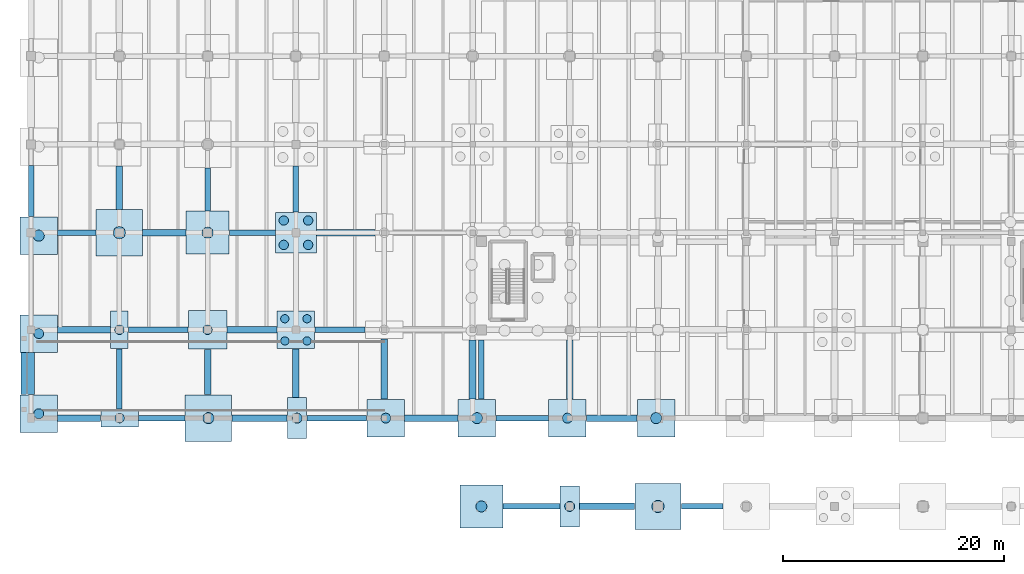
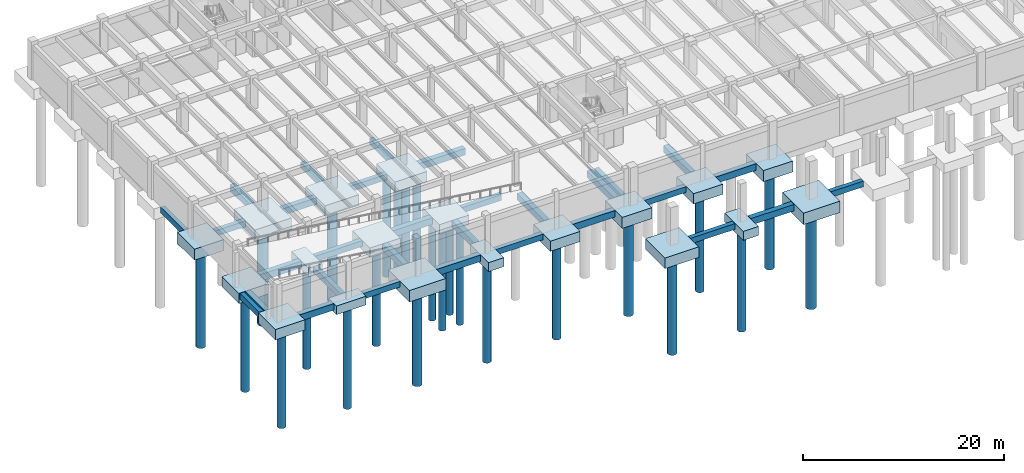
# One storey, part 1 of 25: 50 footings, 25 piles.
"""IFC4 building model written with IfcOpenShell, lengths in metres."""

from ifc_helpers import new_model, si_unit, direction, frame, origin, origin_2d, place, context, subcontext, project, spatial, rectangle, circle, extrude, material, layer, layer_set, material_profile, profile_set, type_object, element, save


model = new_model("IFC4")

# Units and contexts
model_context = context("Model", 3, precision=1e-05, world=origin(), true_north=direction((0.0, 1.0)))
body_context = subcontext(model_context, "Body", "Model", "MODEL_VIEW")
ifc_project = project(units=[si_unit("LENGTHUNIT", "METRE"), si_unit("AREAUNIT", "SQUARE_METRE"), si_unit("VOLUMEUNIT", "CUBIC_METRE"), si_unit("PLANEANGLEUNIT", "RADIAN"), si_unit("MASSUNIT", "GRAM", prefix="KILO")], contexts=[model_context])

# Site, building, storey
site_placement = place(None, origin())
site = spatial("IfcSite", under=ifc_project, at=site_placement, CompositionType="ELEMENT")
building_placement = place(site_placement, origin())
building = spatial("IfcBuilding", under=site, at=building_placement, Name="Tlaxcora Railside Police Headquarters", CompositionType="ELEMENT")
storey_placement = place(building_placement, frame((0.0, 0.0, -4.199951171875)))
storey = spatial("IfcBuildingStorey", under=building, at=storey_placement, Name="B1", CompositionType="ELEMENT", Elevation=-4.199951171875)

# Piles
ifc_material_1 = material(Name="Concrete C35/45", Category="concrete")
ifc_material_profile_1 = material_profile(ifc_material_1, circle(Radius=0.425048828125, at=origin_2d()), Name="PILE850")
ifc_profile_set_1 = profile_set([ifc_material_profile_1], Name="Concrete C35/45")
pile_type_1 = type_object("IfcPileType", Name="Cast-in-Place Bored Pile PL-12", PredefinedType="BORED", material=ifc_profile_set_1)
for number, where, z_axis, x_axis, name in (
    (1, (13.2333984375, 44.0, -1.340087890625), (0.0, 0.0, -1.0), (1.0, 0.0, 0.0), "Bored pile PILE-014-1"),
    (2, (13.199951171875, 52.0, -1.340087890625), (0.0, 0.0, -1.0), (1.0, 0.0, 0.0), "Bored pile PILE-015-1"),
):
    element("IfcPile", number, at=place(storey_placement, frame(where, z_axis=z_axis, x_axis=x_axis)), inside=storey, type_object=pile_type_1, Name=name, PredefinedType="BORED", context=body_context, shape_type="SweptSolid", body=[
        extrude(circle(Radius=0.425048828125, at=origin_2d()), origin(), (0.0, 0.0, 1.0), 12.4599609375),
    ])
pile_1_placement = place(storey_placement, frame((21.199951171875, 52.0, -1.43994140625), z_axis=(0.0, 0.0, -1.0), x_axis=(1.0, 0.0, 0.0)))
element("IfcPile", 3, at=pile_1_placement, inside=storey, type_object=pile_type_1, Name="Bored pile PILE-022-1", PredefinedType="BORED", context=body_context, shape_type="SweptSolid", body=[
    extrude(circle(Radius=0.425048828125, at=origin_2d()), origin(), (0.0, 0.0, 1.0), 12.360107421875),
])
for number, where, z_axis, x_axis, name in (
    (4, (28.094970703125, 59.695068359375, -1.5400390625), (0.0, 0.0, -1.0), (1.0, 0.0, 0.0), "Bored pile PILE-028-1"),
    (5, (28.094970703125, 61.905029296875, -1.5400390625), (0.0, 0.0, -1.0), (1.0, 0.0, 0.0), "Bored pile PILE-028-2"),
    (6, (30.304931640625, 59.695068359375, -1.5400390625), (0.0, 0.0, -1.0), (1.0, 0.0, 0.0), "Bored pile PILE-028-3"),
    (7, (30.304931640625, 61.905029296875, -1.5400390625), (0.0, 0.0, -1.0), (1.0, 0.0, 0.0), "Bored pile PILE-028-4"),
):
    element("IfcPile", number, at=place(storey_placement, frame(where, z_axis=z_axis, x_axis=x_axis)), inside=storey, type_object=pile_type_1, Name=name, PredefinedType="BORED", context=body_context, shape_type="SweptSolid", body=[
        extrude(circle(Radius=0.425048828125, at=origin_2d()), origin(), (0.0, 0.0, 1.0), 12.260009765625),
    ])
ifc_material_profile_2 = material_profile(ifc_material_1, circle(Radius=0.449951171875, at=origin_2d()), Name="PILE900")
ifc_profile_set_2 = profile_set([ifc_material_profile_2], Name="Concrete C35/45")
pile_type_2 = type_object("IfcPileType", Name="Cast-in-Place Bored Pile PL-52", PredefinedType="BORED", material=ifc_profile_set_2)
for number, where, z_axis, x_axis, name in (
    (8, (5.89990234375, 44.39990234375, -1.5400390625), (0.0, 0.0, -1.0), (1.0, 0.0, 0.0), "Bored pile PILE-007-1"),
    (9, (5.89990234375, 51.66650390625, -1.5400390625), (0.0, 0.0, -1.0), (1.0, 0.0, 0.0), "Bored pile PILE-008-1"),
):
    element("IfcPile", number, at=place(storey_placement, frame(where, z_axis=z_axis, x_axis=x_axis)), inside=storey, type_object=pile_type_2, Name=name, PredefinedType="BORED", context=body_context, shape_type="SweptSolid", body=[
        extrude(circle(Radius=0.449951171875, at=origin_2d()), origin(), (0.0, 0.0, 1.0), 12.260009765625),
    ])
pile_2_placement = place(storey_placement, frame((29.300048828125, 44.0, -1.39013671875), z_axis=(0.0, 0.0, -1.0), x_axis=(1.0, 0.0, 0.0)))
element("IfcPile", 10, at=pile_2_placement, inside=storey, type_object=pile_type_2, Name="Bored pile PILE-026-1", PredefinedType="BORED", context=body_context, shape_type="SweptSolid", body=[
    extrude(circle(Radius=0.449951171875, at=origin_2d()), origin(), (0.0, 0.0, 1.0), 12.409912109375),
])
for number, where, z_axis, x_axis, name in (
    (11, (37.33349609375, 44.0, -1.5400390625), (0.0, 0.0, -1.0), (1.0, 0.0, 0.0), "Bored pile PILE-031-1"),
    (12, (53.800048828125, 44.0, -1.5400390625), (0.0, 0.0, -1.0), (1.0, 0.0, 0.0), "Bored pile PILE-042-1"),
):
    element("IfcPile", number, at=place(storey_placement, frame(where, z_axis=z_axis, x_axis=x_axis)), inside=storey, type_object=pile_type_2, Name=name, PredefinedType="BORED", context=body_context, shape_type="SweptSolid", body=[
        extrude(circle(Radius=0.449951171875, at=origin_2d()), origin(), (0.0, 0.0, 1.0), 12.260009765625),
    ])
pile_3_placement = place(storey_placement, frame((54.0, 36.0, -1.39013671875), z_axis=(0.0, 0.0, -1.0), x_axis=(1.0, 0.0, 0.0)))
element("IfcPile", 13, at=pile_3_placement, inside=storey, type_object=pile_type_2, Name="Bored pile PILE-044-1", PredefinedType="BORED", context=body_context, shape_type="SweptSolid", body=[
    extrude(circle(Radius=0.449951171875, at=origin_2d()), origin(), (0.0, 0.0, 1.0), 12.409912109375),
])
ifc_material_profile_3 = material_profile(ifc_material_1, circle(Radius=0.375, at=origin_2d()), Name="PILE750")
ifc_profile_set_3 = profile_set([ifc_material_profile_3], Name="Concrete C35/45")
pile_type_3 = type_object("IfcPileType", Name="Cast-in-Place Bored Pile PL-58", PredefinedType="BORED", material=ifc_profile_set_3)
for number, where, z_axis, x_axis, name in (
    (14, (28.195068359375, 50.9951171875, -1.43994140625), (0.0, 0.0, -1.0), (1.0, 0.0, 0.0), "Bored pile PILE-027-1"),
    (15, (28.195068359375, 53.0048828125, -1.43994140625), (0.0, 0.0, -1.0), (1.0, 0.0, 0.0), "Bored pile PILE-027-2"),
    (16, (30.205078125, 50.9951171875, -1.43994140625), (0.0, 0.0, -1.0), (1.0, 0.0, 0.0), "Bored pile PILE-027-3"),
    (17, (30.205078125, 53.0048828125, -1.43994140625), (0.0, 0.0, -1.0), (1.0, 0.0, 0.0), "Bored pile PILE-027-4"),
):
    element("IfcPile", number, at=place(storey_placement, frame(where, z_axis=z_axis, x_axis=x_axis)), inside=storey, type_object=pile_type_3, Name=name, PredefinedType="BORED", context=body_context, shape_type="SweptSolid", body=[
        extrude(circle(Radius=0.375, at=origin_2d()), origin(), (0.0, 0.0, 1.0), 12.360107421875),
    ])
ifc_material_profile_4 = material_profile(ifc_material_1, circle(Radius=0.5, at=origin_2d()), Name="PILE1000")
ifc_profile_set_4 = profile_set([ifc_material_profile_4], Name="Concrete C35/45")
pile_type_4 = type_object("IfcPileType", Name="Cast-in-Place Bored Pile PL-74", PredefinedType="BORED", material=ifc_profile_set_4)
pile_4_placement = place(storey_placement, frame((5.89990234375, 60.533447265625, -1.64013671875), z_axis=(0.0, 0.0, -1.0), x_axis=(1.0, 0.0, 0.0)))
element("IfcPile", 18, at=pile_4_placement, inside=storey, type_object=pile_type_4, Name="Bored pile PILE-009-1", PredefinedType="BORED", context=body_context, shape_type="SweptSolid", body=[
    extrude(circle(Radius=0.5, at=origin_2d()), origin(), (0.0, 0.0, 1.0), 12.159912109375),
])
pile_5_placement = place(storey_placement, frame((21.2666015625, 44.0, -1.68994140625), z_axis=(0.0, 0.0, -1.0), x_axis=(1.0, 0.0, 0.0)))
element("IfcPile", 19, at=pile_5_placement, inside=storey, type_object=pile_type_4, Name="Bored pile PILE-021-1", PredefinedType="BORED", context=body_context, shape_type="SweptSolid", body=[
    extrude(circle(Radius=0.5, at=origin_2d()), origin(), (0.0, 0.0, 1.0), 12.110107421875),
])
pile_6_placement = place(storey_placement, frame((21.199951171875, 60.800048828125, -1.590087890625), z_axis=(0.0, 0.0, -1.0), x_axis=(1.0, 0.0, 0.0)))
element("IfcPile", 20, at=pile_6_placement, inside=storey, type_object=pile_type_4, Name="Bored pile PILE-023-1", PredefinedType="BORED", context=body_context, shape_type="SweptSolid", body=[
    extrude(circle(Radius=0.5, at=origin_2d()), origin(), (0.0, 0.0, 1.0), 12.2099609375),
])
pile_7_placement = place(storey_placement, frame((45.60009765625, 44.0, -1.64013671875), z_axis=(0.0, 0.0, -1.0), x_axis=(1.0, 0.0, 0.0)))
element("IfcPile", 21, at=pile_7_placement, inside=storey, type_object=pile_type_4, Name="Bored pile PILE-036-1", PredefinedType="BORED", context=body_context, shape_type="SweptSolid", body=[
    extrude(circle(Radius=0.5, at=origin_2d()), origin(), (0.0, 0.0, 1.0), 12.159912109375),
])
pile_8_placement = place(storey_placement, frame((46.0, 36.0, -1.590087890625), z_axis=(0.0, 0.0, -1.0), x_axis=(1.0, 0.0, 0.0)))
element("IfcPile", 22, at=pile_8_placement, inside=storey, type_object=pile_type_4, Name="Bored pile PILE-041-1", PredefinedType="BORED", context=body_context, shape_type="SweptSolid", body=[
    extrude(circle(Radius=0.5, at=origin_2d()), origin(), (0.0, 0.0, 1.0), 12.2099609375),
])
pile_9_placement = place(storey_placement, frame((61.83349609375, 44.0, -1.64013671875), z_axis=(0.0, 0.0, -1.0), x_axis=(1.0, 0.0, 0.0)))
element("IfcPile", 23, at=pile_9_placement, inside=storey, type_object=pile_type_4, Name="Bored pile PILE-048-1", PredefinedType="BORED", context=body_context, shape_type="SweptSolid", body=[
    extrude(circle(Radius=0.5, at=origin_2d()), origin(), (0.0, 0.0, 1.0), 12.159912109375),
])
ifc_material_profile_5 = material_profile(ifc_material_1, circle(Radius=0.550048828125, at=origin_2d()), Name="PILE1100")
ifc_profile_set_5 = profile_set([ifc_material_profile_5], Name="Concrete C35/45")
pile_type_5 = type_object("IfcPileType", Name="Cast-in-Place Bored Pile PL-78", PredefinedType="BORED", material=ifc_profile_set_5)
for number, where, z_axis, x_axis, name in (
    (24, (13.199951171875, 60.800048828125, -1.68994140625), (0.0, 0.0, -1.0), (1.0, 0.0, 0.0), "Bored pile PILE-016-1"),
    (25, (62.0, 36.0, -1.68994140625), (0.0, 0.0, -1.0), (1.0, 0.0, 0.0), "Bored pile PILE-050-1"),
):
    element("IfcPile", number, at=place(storey_placement, frame(where, z_axis=z_axis, x_axis=x_axis)), inside=storey, type_object=pile_type_5, Name=name, PredefinedType="BORED", context=body_context, shape_type="SweptSolid", body=[
        extrude(circle(Radius=0.550048828125, at=origin_2d()), origin(), (0.0, 0.0, 1.0), 12.110107421875),
    ])

# Footings
ifc_material_2 = material(Name="Concrete C40/50", Category="concrete")
ifc_layer_1 = layer(ifc_material_2, 1.35009765625, Name="Concrete C40/50")
ifc_layer_set_1 = layer_set([ifc_layer_1], Name="Concrete C40/50")
footing_type_1 = type_object("IfcFootingType", Name="Reinforced Concrete Pile Cap FT-227", PredefinedType="PILE_CAP", material=ifc_layer_set_1)
for number, where, z_axis, x_axis, name in (
    (26, (5.89990234375, 44.39990234375, -1.68994140625), (0.0, 0.0, 1.0), (1.0, 0.0, 0.0), "Pile cap CAP-B1-007"),
    (27, (5.89990234375, 51.66650390625, -1.68994140625), (0.0, 0.0, 1.0), (1.0, 0.0, 0.0), "Pile cap CAP-B1-008"),
):
    element("IfcFooting", number, at=place(storey_placement, frame(where, z_axis=z_axis, x_axis=x_axis)), inside=storey, type_object=footing_type_1, Name=name, PredefinedType="PILE_CAP", context=body_context, shape_type="SweptSolid", body=[
        extrude(rectangle(XDim=3.39990234375, YDim=3.39990234375, at=origin_2d()), origin(), (0.0, 0.0, 1.0), 1.25),
    ])
footing_1_placement = place(storey_placement, frame((5.89990234375, 60.533447265625, -1.7900390625), z_axis=(0.0, 0.0, 1.0), x_axis=(1.0, 0.0, 0.0)))
element("IfcFooting", 28, at=footing_1_placement, inside=storey, type_object=footing_type_1, Name="Pile cap CAP-B1-009", PredefinedType="PILE_CAP", context=body_context, shape_type="SweptSolid", body=[
    extrude(rectangle(XDim=3.39990234375, YDim=3.39990234375, at=origin_2d()), origin(), (0.0, 0.0, 1.0), 1.35009765625),
])
footing_2_placement = place(storey_placement, frame((37.33349609375, 44.0, -1.68994140625), z_axis=(0.0, 0.0, 1.0), x_axis=(1.0, 0.0, 0.0)))
element("IfcFooting", 29, at=footing_2_placement, inside=storey, type_object=footing_type_1, Name="Pile cap CAP-B1-031", PredefinedType="PILE_CAP", context=body_context, shape_type="SweptSolid", body=[
    extrude(rectangle(XDim=3.39990234375, YDim=3.39990234375, at=origin_2d()), origin(), (0.0, 0.0, 1.0), 1.25),
])
footing_3_placement = place(storey_placement, frame((45.60009765625, 44.0, -1.7900390625), z_axis=(0.0, 0.0, 1.0), x_axis=(1.0, 0.0, 0.0)))
element("IfcFooting", 30, at=footing_3_placement, inside=storey, type_object=footing_type_1, Name="Pile cap CAP-B1-036", PredefinedType="PILE_CAP", context=body_context, shape_type="SweptSolid", body=[
    extrude(rectangle(XDim=3.39990234375, YDim=3.39990234375, at=origin_2d()), origin(), (0.0, 0.0, 1.0), 1.35009765625),
])
footing_4_placement = place(storey_placement, frame((53.800048828125, 44.0, -1.68994140625), z_axis=(0.0, 0.0, 1.0), x_axis=(1.0, 0.0, 0.0)))
element("IfcFooting", 31, at=footing_4_placement, inside=storey, type_object=footing_type_1, Name="Pile cap CAP-B1-042", PredefinedType="PILE_CAP", context=body_context, shape_type="SweptSolid", body=[
    extrude(rectangle(XDim=3.39990234375, YDim=3.39990234375, at=origin_2d()), origin(), (0.0, 0.0, 1.0), 1.25),
])
footing_5_placement = place(storey_placement, frame((61.83349609375, 44.0, -1.7900390625), z_axis=(0.0, 0.0, 1.0), x_axis=(1.0, 0.0, 0.0)))
element("IfcFooting", 32, at=footing_5_placement, inside=storey, type_object=footing_type_1, Name="Pile cap CAP-B1-048", PredefinedType="PILE_CAP", context=body_context, shape_type="SweptSolid", body=[
    extrude(rectangle(XDim=3.39990234375, YDim=3.39990234375, at=origin_2d()), origin(), (0.0, 0.0, 1.0), 1.35009765625),
])
ifc_layer_2 = layer(ifc_material_2, 1.050048828125, Name="Concrete C40/50")
ifc_layer_set_2 = layer_set([ifc_layer_2], Name="Concrete C40/50")
footing_type_2 = type_object("IfcFootingType", Name="Reinforced Concrete Pile Cap FT-28", PredefinedType="PILE_CAP", material=ifc_layer_set_2)
footing_6_placement = place(storey_placement, frame((13.2333984375, 44.0, -1.490234375), z_axis=(0.0, 0.0, 1.0), x_axis=(1.0, 0.0, 0.0)))
element("IfcFooting", 33, at=footing_6_placement, inside=storey, type_object=footing_type_2, Name="Pile cap CAP-B1-014", PredefinedType="PILE_CAP", context=body_context, shape_type="SweptSolid", body=[
    extrude(rectangle(XDim=3.39990234375, YDim=1.60009765625, at=origin_2d()), origin(), (0.0, 0.0, 1.0), 1.050048828125),
])
ifc_layer_3 = layer(ifc_material_2, 1.050048828125, Name="Concrete C40/50")
ifc_layer_set_3 = layer_set([ifc_layer_3], Name="Concrete C40/50")
footing_type_3 = type_object("IfcFootingType", Name="Reinforced Concrete Pile Cap FT-30", PredefinedType="PILE_CAP", material=ifc_layer_set_3)
footing_7_placement = place(storey_placement, frame((13.199951171875, 52.0, -1.490234375), z_axis=(0.0, 0.0, 1.0), x_axis=(1.0, 0.0, 0.0)))
element("IfcFooting", 34, at=footing_7_placement, inside=storey, type_object=footing_type_3, Name="Pile cap CAP-B1-015", PredefinedType="PILE_CAP", context=body_context, shape_type="SweptSolid", body=[
    extrude(rectangle(XDim=1.60009765625, YDim=3.39990234375, at=origin_2d()), origin(), (0.0, 0.0, 1.0), 1.050048828125),
])
ifc_layer_4 = layer(ifc_material_2, 1.14990234375, Name="Concrete C40/50")
ifc_layer_set_4 = layer_set([ifc_layer_4], Name="Concrete C40/50")
footing_type_4 = type_object("IfcFootingType", Name="Reinforced Concrete Pile Cap FT-44", PredefinedType="PILE_CAP", material=ifc_layer_set_4)
footing_8_placement = place(storey_placement, frame((29.199951171875, 52.0, -1.590087890625), z_axis=(0.0, 0.0, 1.0), x_axis=(1.0, 0.0, 0.0)))
element("IfcFooting", 35, at=footing_8_placement, inside=storey, type_object=footing_type_4, Name="Pile cap CAP-B1-027", PredefinedType="PILE_CAP", context=body_context, shape_type="SweptSolid", body=[
    extrude(rectangle(XDim=3.39990234375, YDim=3.39990234375, at=origin_2d()), origin(), (0.0, 0.0, 1.0), 1.14990234375),
])
ifc_layer_5 = layer(ifc_material_2, 1.14990234375, Name="Concrete C40/50")
ifc_layer_set_5 = layer_set([ifc_layer_5], Name="Concrete C40/50")
footing_type_5 = type_object("IfcFootingType", Name="Reinforced Concrete Pile Cap FT-46", PredefinedType="PILE_CAP", material=ifc_layer_set_5)
footing_9_placement = place(storey_placement, frame((21.199951171875, 52.0, -1.590087890625), z_axis=(0.0, 0.0, 1.0), x_axis=(1.0, 0.0, 0.0)))
element("IfcFooting", 36, at=footing_9_placement, inside=storey, type_object=footing_type_5, Name="Pile cap CAP-B1-022", PredefinedType="PILE_CAP", context=body_context, shape_type="SweptSolid", body=[
    extrude(rectangle(XDim=3.5, YDim=3.5, at=origin_2d()), origin(), (0.0, 0.0, 1.0), 1.14990234375),
])
ifc_layer_6 = layer(ifc_material_2, 1.300048828125, Name="Concrete C40/50")
ifc_layer_set_6 = layer_set([ifc_layer_6], Name="Concrete C40/50")
footing_type_6 = type_object("IfcFootingType", Name="Reinforced Concrete Pile Cap FT-75", PredefinedType="PILE_CAP", material=ifc_layer_set_6)
for number, where, z_axis, x_axis, name in (
    (37, (21.199951171875, 60.800048828125, -1.740234375), (0.0, 0.0, 1.0), (1.0, 0.0, 0.0), "Pile cap CAP-B1-023"),
    (38, (46.0, 36.0, -1.740234375), (0.0, 0.0, 1.0), (1.0, 0.0, 0.0), "Pile cap CAP-B1-041"),
):
    element("IfcFooting", number, at=place(storey_placement, frame(where, z_axis=z_axis, x_axis=x_axis)), inside=storey, type_object=footing_type_6, Name=name, PredefinedType="PILE_CAP", context=body_context, shape_type="SweptSolid", body=[
        extrude(rectangle(XDim=3.89990234375, YDim=3.89990234375, at=origin_2d()), origin(), (0.0, 0.0, 1.0), 1.300048828125),
    ])
ifc_layer_7 = layer(ifc_material_2, 1.25, Name="Concrete C40/50")
ifc_layer_set_7 = layer_set([ifc_layer_7], Name="Concrete C40/50")
footing_type_7 = type_object("IfcFootingType", Name="Reinforced Concrete Pile Cap FT-78", PredefinedType="PILE_CAP", material=ifc_layer_set_7)
footing_10_placement = place(storey_placement, frame((29.199951171875, 60.800048828125, -1.68994140625), z_axis=(0.0, 0.0, 1.0), x_axis=(1.0, 0.0, 0.0)))
element("IfcFooting", 39, at=footing_10_placement, inside=storey, type_object=footing_type_7, Name="Pile cap CAP-B1-028", PredefinedType="PILE_CAP", context=body_context, shape_type="SweptSolid", body=[
    extrude(rectangle(XDim=3.699951171875, YDim=3.699951171875, at=origin_2d()), origin(), (0.0, 0.0, 1.0), 1.25),
])
ifc_layer_8 = layer(ifc_material_2, 1.39990234375, Name="Concrete C40/50")
ifc_layer_set_8 = layer_set([ifc_layer_8], Name="Concrete C40/50")
footing_type_8 = type_object("IfcFootingType", Name="Reinforced Concrete Pile Cap FT-93", PredefinedType="PILE_CAP", material=ifc_layer_set_8)
for number, where, z_axis, x_axis, name in (
    (40, (13.199951171875, 60.800048828125, -1.840087890625), (0.0, 0.0, 1.0), (1.0, 0.0, 0.0), "Pile cap CAP-B1-016"),
    (41, (21.2666015625, 44.0, -1.840087890625), (0.0, 0.0, 1.0), (1.0, 0.0, 0.0), "Pile cap CAP-B1-021"),
    (42, (62.0, 36.0, -1.840087890625), (0.0, 0.0, 1.0), (1.0, 0.0, 0.0), "Pile cap CAP-B1-050"),
):
    element("IfcFooting", number, at=place(storey_placement, frame(where, z_axis=z_axis, x_axis=x_axis)), inside=storey, type_object=footing_type_8, Name=name, PredefinedType="PILE_CAP", context=body_context, shape_type="SweptSolid", body=[
        extrude(rectangle(XDim=4.199951171875, YDim=4.199951171875, at=origin_2d()), origin(), (0.0, 0.0, 1.0), 1.39990234375),
    ])
ifc_layer_9 = layer(ifc_material_2, 1.10009765625, Name="Concrete C40/50")
ifc_layer_set_9 = layer_set([ifc_layer_9], Name="Concrete C40/50")
footing_type_9 = type_object("IfcFootingType", Name="Reinforced Concrete Pile Cap FT-97", PredefinedType="PILE_CAP", material=ifc_layer_set_9)
for number, where, z_axis, x_axis, name in (
    (43, (29.300048828125, 44.0, -1.5400390625), (0.0, 0.0, 1.0), (1.0, 0.0, 0.0), "Pile cap CAP-B1-026"),
    (44, (54.0, 36.0, -1.5400390625), (0.0, 0.0, 1.0), (1.0, 0.0, 0.0), "Pile cap CAP-B1-044"),
):
    element("IfcFooting", number, at=place(storey_placement, frame(where, z_axis=z_axis, x_axis=x_axis)), inside=storey, type_object=footing_type_9, Name=name, PredefinedType="PILE_CAP", context=body_context, shape_type="SweptSolid", body=[
        extrude(rectangle(XDim=1.75, YDim=3.699951171875, at=origin_2d()), origin(), (0.0, 0.0, 1.0), 1.10009765625),
    ])
ifc_layer_10 = layer(ifc_material_1, 0.699951171875, Name="Concrete C35/45")
ifc_layer_set_10 = layer_set([ifc_layer_10], Name="Concrete C35/45")
footing_type_10 = type_object("IfcFootingType", Name="Reinforced Concrete Tie Beam FT-39", PredefinedType="FOOTING_BEAM", material=ifc_layer_set_10)
footing_11_placement = place(storey_placement, frame((50.53759765625, 36.0, -1.14013671875), z_axis=(0.0, 0.0, 1.0), x_axis=(1.0, 0.0, 0.0)))
element("IfcFooting", 45, at=footing_11_placement, inside=storey, type_object=footing_type_10, Name="Seismic tie beam TB-X-001", PredefinedType="FOOTING_BEAM", context=body_context, shape_type="SweptSolid", body=[
    extrude(rectangle(XDim=5.135009765625, YDim=0.5, at=origin_2d()), origin(), (0.0, 0.0, 1.0), 0.699951171875),
])
footing_12_placement = place(storey_placement, frame((66.0, 36.0, -1.14013671875), z_axis=(0.0, 0.0, 1.0), x_axis=(1.0, 0.0, 0.0)))
element("IfcFooting", 46, at=footing_12_placement, inside=storey, type_object=footing_type_10, Name="Seismic tie beam TB-X-003", PredefinedType="FOOTING_BEAM", context=body_context, shape_type="SweptSolid", body=[
    extrude(rectangle(XDim=3.760009765625, YDim=0.5, at=origin_2d()), origin(), (0.0, 0.0, 1.0), 0.699951171875),
])
footing_13_placement = place(storey_placement, frame((17.050048828125, 44.0, -1.14013671875), z_axis=(0.0, 0.0, 1.0), x_axis=(1.0, 0.0, 0.0)))
element("IfcFooting", 47, at=footing_13_placement, inside=storey, type_object=footing_type_10, Name="Seismic tie beam TB-X-009", PredefinedType="FOOTING_BEAM", context=body_context, shape_type="SweptSolid", body=[
    extrude(rectangle(XDim=4.193115234375, YDim=0.5, at=origin_2d()), origin(), (0.0, 0.0, 1.0), 0.699951171875),
])
footing_14_placement = place(storey_placement, frame((32.904296875, 44.0, -1.14013671875), z_axis=(0.0, 0.0, 1.0), x_axis=(1.0, 0.0, 0.0)))
element("IfcFooting", 48, at=footing_14_placement, inside=storey, type_object=footing_type_10, Name="Seismic tie beam TB-X-011", PredefinedType="FOOTING_BEAM", context=body_context, shape_type="SweptSolid", body=[
    extrude(rectangle(XDim=5.41845703125, YDim=0.5, at=origin_2d()), origin(), (0.0, 0.0, 1.0), 0.699951171875),
])
footing_15_placement = place(storey_placement, frame((49.699951171875, 44.0, -1.14013671875), z_axis=(0.0, 0.0, 1.0), x_axis=(1.0, 0.0, 0.0)))
element("IfcFooting", 49, at=footing_15_placement, inside=storey, type_object=footing_type_10, Name="Seismic tie beam TB-X-013", PredefinedType="FOOTING_BEAM", context=body_context, shape_type="SweptSolid", body=[
    extrude(rectangle(XDim=4.760009765625, YDim=0.5, at=origin_2d()), origin(), (0.0, 0.0, 1.0), 0.699951171875),
])
footing_16_placement = place(storey_placement, frame((16.72509765625, 52.0, -1.14013671875), z_axis=(0.0, 0.0, 1.0), x_axis=(1.0, 0.0, 0.0)))
element("IfcFooting", 50, at=footing_16_placement, inside=storey, type_object=footing_type_10, Name="Seismic tie beam TB-X-021", PredefinedType="FOOTING_BEAM", context=body_context, shape_type="SweptSolid", body=[
    extrude(rectangle(XDim=5.409912109375, YDim=0.5, at=origin_2d()), origin(), (0.0, 0.0, 1.0), 0.699951171875),
])
footing_17_placement = place(storey_placement, frame((33.199951171875, 52.0, -1.14013671875), z_axis=(0.0, 0.0, 1.0), x_axis=(1.0, 0.0, 0.0)))
element("IfcFooting", 51, at=footing_17_placement, inside=storey, type_object=footing_type_10, Name="Seismic tie beam TB-X-023", PredefinedType="FOOTING_BEAM", context=body_context, shape_type="SweptSolid", body=[
    extrude(rectangle(XDim=4.56005859375, YDim=0.5, at=origin_2d()), origin(), (0.0, 0.0, 1.0), 0.699951171875),
])
footing_18_placement = place(storey_placement, frame((9.35009765625, 60.800048828125, -1.14013671875), z_axis=(0.0, 0.0, 1.0), x_axis=(1.0, 0.0, 0.0)))
element("IfcFooting", 52, at=footing_18_placement, inside=storey, type_object=footing_type_10, Name="Seismic tie beam TB-X-035", PredefinedType="FOOTING_BEAM", context=body_context, shape_type="SweptSolid", body=[
    extrude(rectangle(XDim=3.4599609375, YDim=0.5, at=origin_2d()), origin(), (0.0, 0.0, 1.0), 0.699951171875),
])
footing_19_placement = place(storey_placement, frame((25.25, 60.800048828125, -1.14013671875), z_axis=(0.0, 0.0, 1.0), x_axis=(1.0, 0.0, 0.0)))
element("IfcFooting", 53, at=footing_19_placement, inside=storey, type_object=footing_type_10, Name="Seismic tie beam TB-X-037", PredefinedType="FOOTING_BEAM", context=body_context, shape_type="SweptSolid", body=[
    extrude(rectangle(XDim=4.159912109375, YDim=0.5, at=origin_2d()), origin(), (0.0, 0.0, 1.0), 0.699951171875),
])
footing_20_placement = place(storey_placement, frame((4.550048828125, 48.033203125, -1.14013671875), z_axis=(0.0, 0.0, 1.0), x_axis=(0.0, 1.0, 0.0)))
element("IfcFooting", 54, at=footing_20_placement, inside=storey, type_object=footing_type_10, Name="Seismic tie beam TB-Y-091", PredefinedType="FOOTING_BEAM", context=body_context, shape_type="SweptSolid", body=[
    extrude(rectangle(XDim=3.826416015625, YDim=0.5, at=origin_2d()), origin(), (0.0, 0.0, 1.0), 0.699951171875),
])
footing_21_placement = place(storey_placement, frame((5.199951171875, 64.566650390625, -1.14013671875), z_axis=(0.0, 0.0, 1.0), x_axis=(0.0, 1.0, 0.0)))
element("IfcFooting", 55, at=footing_21_placement, inside=storey, type_object=footing_type_10, Name="Seismic tie beam TB-Y-093", PredefinedType="FOOTING_BEAM", context=body_context, shape_type="SweptSolid", body=[
    extrude(rectangle(XDim=4.62646484375, YDim=0.5, at=origin_2d()), origin(), (0.0, 0.0, 1.0), 0.699951171875),
])
footing_22_placement = place(storey_placement, frame((13.199951171875, 47.550048828125, -1.14013671875), z_axis=(0.0, 0.0, 1.0), x_axis=(0.0, 1.0, 0.0)))
element("IfcFooting", 56, at=footing_22_placement, inside=storey, type_object=footing_type_10, Name="Seismic tie beam TB-Y-097", PredefinedType="FOOTING_BEAM", context=body_context, shape_type="SweptSolid", body=[
    extrude(rectangle(XDim=5.4599609375, YDim=0.5, at=origin_2d()), origin(), (0.0, 0.0, 1.0), 0.699951171875),
])
footing_23_placement = place(storey_placement, frame((21.199951171875, 64.72509765625, -1.14013671875), z_axis=(0.0, 0.0, 1.0), x_axis=(0.0, 1.0, 0.0)))
element("IfcFooting", 57, at=footing_23_placement, inside=storey, type_object=footing_type_10, Name="Seismic tie beam TB-Y-103", PredefinedType="FOOTING_BEAM", context=body_context, shape_type="SweptSolid", body=[
    extrude(rectangle(XDim=3.909912109375, YDim=0.5, at=origin_2d()), origin(), (0.0, 0.0, 1.0), 0.699951171875),
])
footing_24_placement = place(storey_placement, frame((29.199951171875, 64.75, -1.14013671875), z_axis=(0.0, 0.0, 1.0), x_axis=(0.0, 1.0, 0.0)))
element("IfcFooting", 58, at=footing_24_placement, inside=storey, type_object=footing_type_10, Name="Seismic tie beam TB-Y-107", PredefinedType="FOOTING_BEAM", context=body_context, shape_type="SweptSolid", body=[
    extrude(rectangle(XDim=4.159912109375, YDim=0.5, at=origin_2d()), origin(), (0.0, 0.0, 1.0), 0.699951171875),
])
footing_25_placement = place(storey_placement, frame((46.0, 48.39990234375, -1.14013671875), z_axis=(0.0, 0.0, 1.0), x_axis=(0.0, 1.0, 0.0)))
element("IfcFooting", 59, at=footing_25_placement, inside=storey, type_object=footing_type_10, Name="Seismic tie beam TB-Y-119", PredefinedType="FOOTING_BEAM", context=body_context, shape_type="SweptSolid", body=[
    extrude(rectangle(XDim=5.360107421875, YDim=0.5, at=origin_2d()), origin(), (0.0, 0.0, 1.0), 0.699951171875),
])
ifc_layer_11 = layer(ifc_material_1, 0.800048828125, Name="Concrete C35/45")
ifc_layer_set_11 = layer_set([ifc_layer_11], Name="Concrete C35/45")
footing_type_11 = type_object("IfcFootingType", Name="Reinforced Concrete Tie Beam FT-96", PredefinedType="FOOTING_BEAM", material=ifc_layer_set_11)
footing_26_placement = place(storey_placement, frame((57.387451171875, 36.0, -1.240234375), z_axis=(0.0, 0.0, 1.0), x_axis=(1.0, 0.0, 0.0)))
element("IfcFooting", 60, at=footing_26_placement, inside=storey, type_object=footing_type_11, Name="Seismic tie beam TB-X-002", PredefinedType="FOOTING_BEAM", context=body_context, shape_type="SweptSolid", body=[
    extrude(rectangle(XDim=4.985107421875, YDim=0.60009765625, at=origin_2d()), origin(), (0.0, 0.0, 1.0), 0.800048828125),
])
footing_27_placement = place(storey_placement, frame((9.56689453125, 44.0, -1.240234375), z_axis=(0.0, 0.0, 1.0), x_axis=(1.0, 0.0, 0.0)))
element("IfcFooting", 61, at=footing_27_placement, inside=storey, type_object=footing_type_11, Name="Seismic tie beam TB-X-008", PredefinedType="FOOTING_BEAM", context=body_context, shape_type="SweptSolid", body=[
    extrude(rectangle(XDim=3.8935546875, YDim=0.60009765625, at=origin_2d()), origin(), (0.0, 0.0, 1.0), 0.800048828125),
])
footing_28_placement = place(storey_placement, frame((25.895751953125, 44.0, -1.240234375), z_axis=(0.0, 0.0, 1.0), x_axis=(1.0, 0.0, 0.0)))
element("IfcFooting", 62, at=footing_28_placement, inside=storey, type_object=footing_type_11, Name="Seismic tie beam TB-X-010", PredefinedType="FOOTING_BEAM", context=body_context, shape_type="SweptSolid", body=[
    extrude(rectangle(XDim=5.0185546875, YDim=0.60009765625, at=origin_2d()), origin(), (0.0, 0.0, 1.0), 0.800048828125),
])
footing_29_placement = place(storey_placement, frame((41.466796875, 44.0, -1.240234375), z_axis=(0.0, 0.0, 1.0), x_axis=(1.0, 0.0, 0.0)))
element("IfcFooting", 63, at=footing_29_placement, inside=storey, type_object=footing_type_11, Name="Seismic tie beam TB-X-012", PredefinedType="FOOTING_BEAM", context=body_context, shape_type="SweptSolid", body=[
    extrude(rectangle(XDim=4.826416015625, YDim=0.60009765625, at=origin_2d()), origin(), (0.0, 0.0, 1.0), 0.800048828125),
])
footing_30_placement = place(storey_placement, frame((57.816650390625, 44.0, -1.240234375), z_axis=(0.0, 0.0, 1.0), x_axis=(1.0, 0.0, 0.0)))
element("IfcFooting", 64, at=footing_30_placement, inside=storey, type_object=footing_type_11, Name="Seismic tie beam TB-X-014", PredefinedType="FOOTING_BEAM", context=body_context, shape_type="SweptSolid", body=[
    extrude(rectangle(XDim=4.593505859375, YDim=0.60009765625, at=origin_2d()), origin(), (0.0, 0.0, 1.0), 0.800048828125),
])
footing_31_placement = place(storey_placement, frame((10.0, 52.0, -1.240234375), z_axis=(0.0, 0.0, 1.0), x_axis=(1.0, 0.0, 0.0)))
element("IfcFooting", 65, at=footing_31_placement, inside=storey, type_object=footing_type_11, Name="Seismic tie beam TB-X-020", PredefinedType="FOOTING_BEAM", context=body_context, shape_type="SweptSolid", body=[
    extrude(rectangle(XDim=4.760009765625, YDim=0.60009765625, at=origin_2d()), origin(), (0.0, 0.0, 1.0), 0.800048828125),
])
footing_32_placement = place(storey_placement, frame((25.22509765625, 52.0, -1.240234375), z_axis=(0.0, 0.0, 1.0), x_axis=(1.0, 0.0, 0.0)))
element("IfcFooting", 66, at=footing_32_placement, inside=storey, type_object=footing_type_11, Name="Seismic tie beam TB-X-022", PredefinedType="FOOTING_BEAM", context=body_context, shape_type="SweptSolid", body=[
    extrude(rectangle(XDim=4.510009765625, YDim=0.60009765625, at=origin_2d()), origin(), (0.0, 0.0, 1.0), 0.800048828125),
])
footing_33_placement = place(storey_placement, frame((17.27490234375, 60.800048828125, -1.240234375), z_axis=(0.0, 0.0, 1.0), x_axis=(1.0, 0.0, 0.0)))
element("IfcFooting", 67, at=footing_33_placement, inside=storey, type_object=footing_type_11, Name="Seismic tie beam TB-X-036", PredefinedType="FOOTING_BEAM", context=body_context, shape_type="SweptSolid", body=[
    extrude(rectangle(XDim=3.909912109375, YDim=0.60009765625, at=origin_2d()), origin(), (0.0, 0.0, 1.0), 0.800048828125),
])
footing_34_placement = place(storey_placement, frame((33.72509765625, 60.800048828125, -1.240234375), z_axis=(0.0, 0.0, 1.0), x_axis=(1.0, 0.0, 0.0)))
element("IfcFooting", 68, at=footing_34_placement, inside=storey, type_object=footing_type_11, Name="Seismic tie beam TB-X-038", PredefinedType="FOOTING_BEAM", context=body_context, shape_type="SweptSolid", body=[
    extrude(rectangle(XDim=5.31005859375, YDim=0.60009765625, at=origin_2d()), origin(), (0.0, 0.0, 1.0), 0.800048828125),
])
footing_35_placement = place(storey_placement, frame((5.199951171875, 48.033203125, -1.240234375), z_axis=(0.0, 0.0, 1.0), x_axis=(0.0, 1.0, 0.0)))
element("IfcFooting", 69, at=footing_35_placement, inside=storey, type_object=footing_type_11, Name="Seismic tie beam TB-Y-092", PredefinedType="FOOTING_BEAM", context=body_context, shape_type="SweptSolid", body=[
    extrude(rectangle(XDim=3.826416015625, YDim=0.60009765625, at=origin_2d()), origin(), (0.0, 0.0, 1.0), 0.800048828125),
])
footing_36_placement = place(storey_placement, frame((13.199951171875, 64.875, -1.240234375), z_axis=(0.0, 0.0, 1.0), x_axis=(0.0, 1.0, 0.0)))
element("IfcFooting", 70, at=footing_36_placement, inside=storey, type_object=footing_type_11, Name="Seismic tie beam TB-Y-098", PredefinedType="FOOTING_BEAM", context=body_context, shape_type="SweptSolid", body=[
    extrude(rectangle(XDim=3.909912109375, YDim=0.60009765625, at=origin_2d()), origin(), (0.0, 0.0, 1.0), 0.800048828125),
])
footing_37_placement = place(storey_placement, frame((21.199951171875, 48.175048828125, -1.240234375), z_axis=(0.0, 0.0, 1.0), x_axis=(0.0, 1.0, 0.0)))
element("IfcFooting", 71, at=footing_37_placement, inside=storey, type_object=footing_type_11, Name="Seismic tie beam TB-Y-102", PredefinedType="FOOTING_BEAM", context=body_context, shape_type="SweptSolid", body=[
    extrude(rectangle(XDim=4.110107421875, YDim=0.60009765625, at=origin_2d()), origin(), (0.0, 0.0, 1.0), 0.800048828125),
])
footing_38_placement = place(storey_placement, frame((29.199951171875, 48.074951171875, -1.240234375), z_axis=(0.0, 0.0, 1.0), x_axis=(0.0, 1.0, 0.0)))
element("IfcFooting", 72, at=footing_38_placement, inside=storey, type_object=footing_type_11, Name="Seismic tie beam TB-Y-106", PredefinedType="FOOTING_BEAM", context=body_context, shape_type="SweptSolid", body=[
    extrude(rectangle(XDim=4.409912109375, YDim=0.60009765625, at=origin_2d()), origin(), (0.0, 0.0, 1.0), 0.800048828125),
])
footing_39_placement = place(storey_placement, frame((37.199951171875, 48.449951171875, -1.240234375), z_axis=(0.0, 0.0, 1.0), x_axis=(0.0, 1.0, 0.0)))
element("IfcFooting", 73, at=footing_39_placement, inside=storey, type_object=footing_type_11, Name="Seismic tie beam TB-Y-110", PredefinedType="FOOTING_BEAM", context=body_context, shape_type="SweptSolid", body=[
    extrude(rectangle(XDim=5.4599609375, YDim=0.60009765625, at=origin_2d()), origin(), (0.0, 0.0, 1.0), 0.800048828125),
])
for number, where, z_axis, x_axis, name in (
    (74, (45.199951171875, 48.39990234375, -1.240234375), (0.0, 0.0, 1.0), (0.0, 1.0, 0.0), "Seismic tie beam TB-Y-114"),
    (75, (54.0, 48.39990234375, -1.240234375), (0.0, 0.0, 1.0), (0.0, 1.0, 0.0), "Seismic tie beam TB-Y-120"),
):
    element("IfcFooting", number, at=place(storey_placement, frame(where, z_axis=z_axis, x_axis=x_axis)), inside=storey, type_object=footing_type_11, Name=name, PredefinedType="FOOTING_BEAM", context=body_context, shape_type="SweptSolid", body=[
        extrude(rectangle(XDim=5.360107421875, YDim=0.60009765625, at=origin_2d()), origin(), (0.0, 0.0, 1.0), 0.800048828125),
    ])

save(model, "model.ifc")
